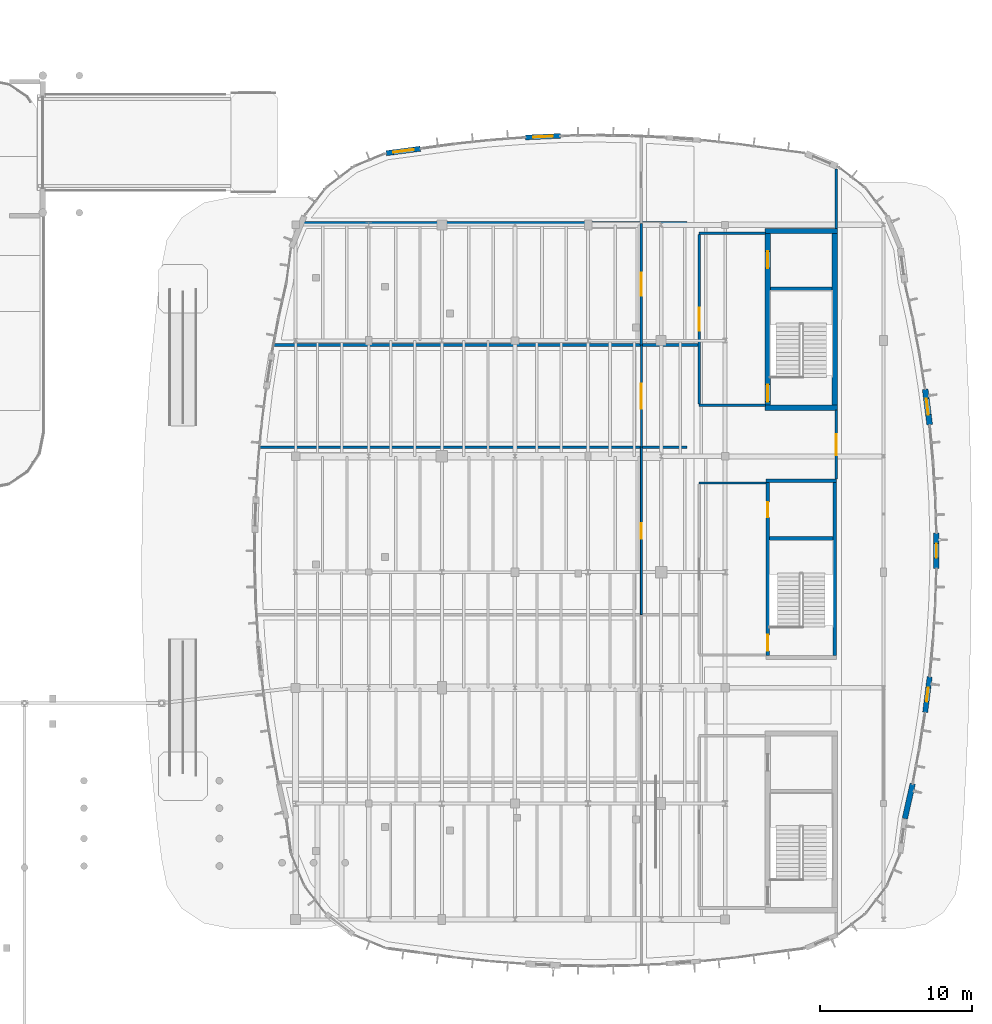
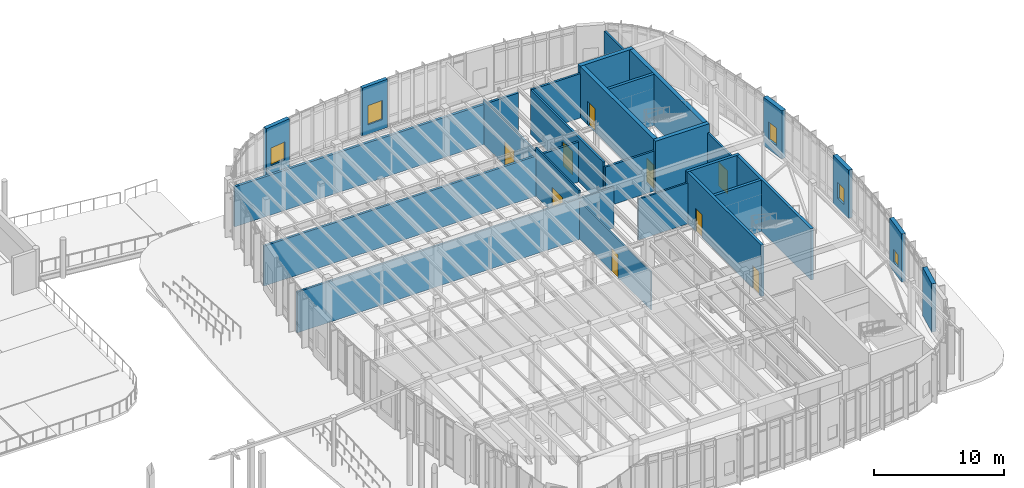
# One storey, part 94 of 120: 27 walls, 9 doors, 5 windows, 14 openings.
"""IFC4 building model written with IfcOpenShell, lengths in metres."""

import ifcopenshell
import ifcopenshell.guid

model = None  # the IFC model being written
_history = None  # IfcOwnerHistory: only IFC2X3 demands one
_inside = {}  # id of a spatial element -> (the spatial element, [elements in it])
_under = {}  # id of a project, library or spatial element -> (it, [spatial elements below it])
_declared = {}  # id of a project -> (the project, [libraries it declares])
_typed = {}  # id of a type object -> (the type object, [elements of that type])
_made_of = {}  # id of a material, layer set ... -> (it, [elements and type objects made of it])


def new_model(schema):
    """Start an empty IFC model of exactly this schema.

    Asked for "IFC4X3", IfcOpenShell would pick the latest addendum, in which some entities
    have other attributes; the version numbers below select the first issue.
    IFC2X3 requires an IfcOwnerHistory on every rooted entity: one is made here for all.
    """
    global model, _history
    if schema == "IFC4X3":
        model = ifcopenshell.file(schema_version=(4, 3, 0, 0))
    else:
        model = ifcopenshell.file(schema=schema)
    _inside.clear()
    _under.clear()
    _declared.clear()
    _typed.clear()
    _made_of.clear()
    _history = None
    if model.schema == "IFC2X3":
        org = make("IfcOrganization", Name="unknown")
        user = make(
            "IfcPersonAndOrganization",
            ThePerson=make("IfcPerson", FamilyName="unknown"),
            TheOrganization=org,
        )
        app = make(
            "IfcApplication",
            ApplicationDeveloper=org,
            Version="unknown",
            ApplicationFullName="unknown",
            ApplicationIdentifier="unknown",
        )
        _history = make(
            "IfcOwnerHistory",
            OwningUser=user,
            OwningApplication=app,
            ChangeAction="ADDED",
            CreationDate=0,
        )
    return model


def make(cls, **values):
    """One entity of the class cls with the attributes given. An attribute that is None is left unset."""
    return model.create_entity(
        cls, **{name: value for name, value in values.items() if value is not None}
    )


def rooted(cls, **values):
    """An entity with a GlobalId (a new one), such as an element, a storey or a relation."""
    return make(cls, GlobalId=ifcopenshell.guid.new(), OwnerHistory=_history, **values)


def si_unit(unit_type, name, prefix=None):
    """IfcSIUnit, for example si_unit("LENGTHUNIT", "METRE", prefix="MILLI")."""
    return make("IfcSIUnit", UnitType=unit_type, Prefix=prefix, Name=name)


def assignment(units):
    """IfcUnitAssignment: the units of a project."""
    return None if units is None else make("IfcUnitAssignment", Units=units)


def point(xyz):
    """IfcCartesianPoint."""
    return None if xyz is None else make("IfcCartesianPoint", Coordinates=xyz)


def direction(xyz):
    """IfcDirection."""
    return None if xyz is None else make("IfcDirection", DirectionRatios=xyz)


def frame(location, z_axis=None, x_axis=None):
    """IfcAxis2Placement3D, a coordinate frame: its origin and axes. An axis left out is left unset."""
    return make(
        "IfcAxis2Placement3D",
        Location=point(location),
        Axis=direction(z_axis),
        RefDirection=direction(x_axis),
    )


def frame_2d(location, x_axis=None):
    """IfcAxis2Placement2D, a coordinate frame in the plane: its origin and x axis."""
    return make(
        "IfcAxis2Placement2D", Location=point(location), RefDirection=direction(x_axis)
    )


def origin():
    """The frame at (0, 0, 0) with its axes left unset."""
    return frame((0.0, 0.0, 0.0))


def place(relative_to, where):
    """IfcLocalPlacement: puts the frame where relative to a parent placement (None: the world)."""
    return make(
        "IfcLocalPlacement", PlacementRelTo=relative_to, RelativePlacement=where
    )


def context(
    kind, dimensions, precision=None, world=None, true_north=None, identifier=None
):
    """IfcGeometricRepresentationContext, for example the 3D "Model" context."""
    return make(
        "IfcGeometricRepresentationContext",
        ContextIdentifier=identifier,
        ContextType=kind,
        CoordinateSpaceDimension=dimensions,
        Precision=precision,
        WorldCoordinateSystem=world,
        TrueNorth=true_north,
    )


def subcontext(parent, identifier, kind, view, scale=None):
    """IfcGeometricRepresentationSubContext, for example "Body" below "Model"."""
    return make(
        "IfcGeometricRepresentationSubContext",
        ContextIdentifier=identifier,
        ContextType=kind,
        ParentContext=parent,
        TargetScale=scale,
        TargetView=view,
    )


def project(units=None, contexts=None):
    """IfcProject with its units and contexts."""
    return rooted(
        "IfcProject",
        Name="project",
        RepresentationContexts=contexts,
        UnitsInContext=assignment(units),
    )


def spatial(cls, under=None, at=None, **own):
    """A site, building, storey or space (cls), placed at a placement, below another one or the project."""
    s = rooted(cls, ObjectPlacement=at, **own)
    if under is not None:
        _under.setdefault(under.id(), (under, []))[1].append(s)
    return s


def profile(cls, at=None, kind="AREA", **sizes):
    """A parametric profile (cls). Its sizes go by their IFC names, for example OverallWidth=200.0."""
    return make(cls, ProfileType=kind, Position=at, **sizes)


def rectangle(**sizes):
    """IfcRectangleProfileDef."""
    return profile("IfcRectangleProfileDef", **sizes)


def extrude(swept, where, along, depth):
    """IfcExtrudedAreaSolid: the profile swept, set in the frame where, extruded along a direction by depth."""
    return make(
        "IfcExtrudedAreaSolid",
        SweptArea=swept,
        Position=where,
        ExtrudedDirection=direction(along),
        Depth=depth,
    )


def shape(context_of_items, identifier, shape_type, items):
    """IfcShapeRepresentation: the items that make up one representation, for example the "Body"."""
    return make(
        "IfcShapeRepresentation",
        ContextOfItems=context_of_items,
        RepresentationIdentifier=identifier,
        RepresentationType=shape_type,
        Items=items,
    )


def material(Name=None, Category=None):
    """IfcMaterial."""
    return make("IfcMaterial", Name=Name, Category=Category)


def layer(
    of_material, thickness, ventilated=None, Name=None, Category=None, Priority=None
):
    """IfcMaterialLayer: one layer of a wall or slab, of a material (None: an air gap)."""
    return make(
        "IfcMaterialLayer",
        Material=of_material,
        LayerThickness=thickness,
        IsVentilated=ventilated,
        Name=Name,
        Category=Category,
        Priority=Priority,
    )


def layer_set(layers, Name=None):
    """IfcMaterialLayerSet."""
    return make("IfcMaterialLayerSet", MaterialLayers=layers, LayerSetName=Name)


def made_of(thing, what):
    """Note that an element or type object is made of a material, layer set ...; save() writes the relation."""
    if what is not None:
        _made_of.setdefault(what.id(), (what, []))[1].append(thing)
    return thing


def type_object(cls, material=None, **own):
    """A type object (cls), such as IfcWallType, which elements share."""
    return made_of(rooted(cls, **own), material)


def element(
    cls,
    number,
    at=None,
    inside=None,
    cuts=None,
    type_object=None,
    material=None,
    context=None,
    identifier="Body",
    shape_type=None,
    held_by="IfcProductDefinitionShape",
    body=None,
    shapes=None,
    **own,
):
    """One element of the class cls, such as IfcWall. Its Tag is "e" and its number.

    at: its placement. inside: the storey or other place that contains it. cuts: it is an
    opening in that element (IfcRelVoidsElement). A single representation is given by context,
    identifier, shape_type and body (its items); several are given by shapes. held_by: the class
    of the entity that holds the representations. save() writes the other relations.
    """
    e = rooted(cls, Tag="e%d" % number, ObjectPlacement=at, **own)
    if body is not None:
        shapes = [shape(context, identifier, shape_type, body)]
    if shapes is not None:
        e.Representation = make(held_by, Representations=shapes)
    if inside is not None:
        _inside.setdefault(inside.id(), (inside, []))[1].append(e)
    if cuts is not None:
        rooted(
            "IfcRelVoidsElement", RelatingBuildingElement=cuts, RelatedOpeningElement=e
        )
    if type_object is not None:
        _typed.setdefault(type_object.id(), (type_object, []))[1].append(e)
    return made_of(e, material)


def fill(opening, filler):
    """IfcRelFillsElement: the door or window that sits in an opening."""
    return rooted(
        "IfcRelFillsElement",
        RelatingOpeningElement=opening,
        RelatedBuildingElement=filler,
    )


def aggregate(whole, parts):
    """IfcRelAggregates: a whole, such as a stair, and the parts it consists of."""
    return rooted("IfcRelAggregates", RelatingObject=whole, RelatedObjects=parts)


def save(model, path):
    """Write the relations noted so far, then the file.

    IfcRelAggregates (storeys below a building ...), IfcRelContainedInSpatialStructure (elements
    in a storey), IfcRelDefinesByType, IfcRelAssociatesMaterial and IfcRelDeclares: one each for
    every whole, place, type object, material and project.
    """
    for whole, parts in _under.values():
        aggregate(whole, parts)
    for where, things in _inside.values():
        rooted(
            "IfcRelContainedInSpatialStructure",
            RelatedElements=things,
            RelatingStructure=where,
        )
    for kind, things in _typed.values():
        rooted("IfcRelDefinesByType", RelatedObjects=things, RelatingType=kind)
    for what, things in _made_of.values():
        rooted("IfcRelAssociatesMaterial", RelatedObjects=things, RelatingMaterial=what)
    for by, libraries in _declared.values():
        rooted("IfcRelDeclares", RelatingContext=by, RelatedDefinitions=libraries)
    model.write(path)


model = new_model("IFC4")

# Units and contexts
model_context = context("Model", 3, precision=1e-05, world=origin(), true_north=direction((0.0, 1.0)))
body_context = subcontext(model_context, "Body", "Model", "MODEL_VIEW")
ifc_project = project(units=[si_unit("LENGTHUNIT", "METRE"), si_unit("AREAUNIT", "SQUARE_METRE"), si_unit("VOLUMEUNIT", "CUBIC_METRE"), si_unit("PLANEANGLEUNIT", "RADIAN"), si_unit("MASSUNIT", "GRAM", prefix="KILO")], contexts=[model_context])

# Site, building, storey
site_placement = place(None, origin())
site = spatial("IfcSite", under=ifc_project, at=site_placement, CompositionType="ELEMENT")
building_placement = place(site_placement, origin())
building = spatial("IfcBuilding", under=site, at=building_placement, Name="Corveleigh Park Community Centre", CompositionType="ELEMENT")
storey_placement = place(building_placement, origin())
storey = spatial("IfcBuildingStorey", under=building, at=storey_placement, Name="L00", CompositionType="ELEMENT", Elevation=0.0)

# Wall, opening, window
ifc_material_1 = material(Name="Precast concrete C40/50", Category="concrete")
ifc_layer_1 = layer(ifc_material_1, 0.320068359375, Name="Precast concrete C40/50", Category="concrete")
ifc_layer_set_1 = layer_set([ifc_layer_1], Name="Precast concrete C40/50")
wall_type_1 = type_object("IfcWallType", Name="WL-EXT-320", PredefinedType="STANDARD", material=ifc_layer_set_1)
wall_1_placement = place(storey_placement, frame((144.89404296875, 109.93505859375, 0.0), z_axis=(0.0, 0.0, 1.0), x_axis=(0.998948885856, 0.045838013117, 0.0)))
wall_1 = element("IfcWall", 1, at=wall_1_placement, inside=storey, type_object=wall_type_1, Name="V4 L00 Precast Facade Wall", PredefinedType="STANDARD", context=body_context, shape_type="SweptSolid", body=[
    extrude(rectangle(XDim=2.290283203125, YDim=0.320068359375, at=frame_2d((1.14501953125, 0.0))), origin(), (0.0, 0.0, 1.0), 4.511962890625),
])
opening_1_placement = place(wall_1_placement, frame((0.4951171875, 0.0, 0.89990234375)))
opening_1 = element("IfcOpeningElement", 2, at=opening_1_placement, cuts=wall_1, Name="Opening W07", PredefinedType="OPENING", context=body_context, shape_type="SweptSolid", body=[
    extrude(rectangle(XDim=1.300048828125, YDim=1.800048828125, at=frame_2d((0.64990234375, 0.89990234375))), frame((0.0, 0.169921875, 0.0), z_axis=(0.0, -1.0, 0.0), x_axis=(1.0, 0.0, 0.0)), (0.0, 0.0, 1.0), 0.340087890625),
])
ifc_material_2 = material(Name="Low-E double glazing", Category="glass")
window_type_1 = type_object("IfcWindowType", Name="WIN-EXT-1300x1800", PartitioningType="SINGLE_PANEL", PredefinedType="WINDOW", material=ifc_material_2)
window_1_placement = place(opening_1_placement, origin())
window_1 = element("IfcWindow", 3, at=window_1_placement, inside=storey, type_object=window_type_1, Name="V4 L00 Window 31", OverallHeight=1.800048828125, OverallWidth=1.300048828125, PartitioningType="SINGLE_PANEL", PredefinedType="WINDOW", context=body_context, shape_type="SweptSolid", body=[
    extrude(rectangle(XDim=1.300048828125, YDim=1.800048828125, at=frame_2d((0.64990234375, 0.89990234375))), frame((0.0, 0.030029296875, 0.0), z_axis=(0.0, -1.0, 0.0), x_axis=(1.0, 0.0, 0.0)), (0.0, 0.0, 1.0), 0.06005859375),
])
fill(opening_1, window_1)

ifc_layer_2 = layer(ifc_material_1, 0.340087890625, Name="Precast concrete C40/50", Category="concrete")
ifc_layer_set_2 = layer_set([ifc_layer_2], Name="Precast concrete C40/50")
wall_type_2 = type_object("IfcWallType", Name="WL-EXT-340", PredefinedType="STANDARD", material=ifc_layer_set_2)
wall_2_placement = place(storey_placement, frame((171.429931640625, 74.51806640625, 0.0), z_axis=(0.0, 0.0, 1.0), x_axis=(-0.125875194248, -0.992046085357, 0.0)))
wall_2 = element("IfcWall", 4, at=wall_2_placement, inside=storey, type_object=wall_type_2, Name="V4 L00 Precast Facade Wall", PredefinedType="STANDARD", context=body_context, shape_type="SweptSolid", body=[
    extrude(rectangle(XDim=2.350830078125, YDim=0.340087890625, at=frame_2d((1.17529296875, 0.0))), origin(), (0.0, 0.0, 1.0), 4.511962890625),
])
opening_2_placement = place(wall_2_placement, frame((0.72607421875, 0.0, 0.89990234375)))
opening_2 = element("IfcOpeningElement", 5, at=opening_2_placement, cuts=wall_2, Name="Opening W01", PredefinedType="OPENING", context=body_context, shape_type="SweptSolid", body=[
    extrude(rectangle(XDim=0.89990234375, YDim=1.199951171875, at=frame_2d((0.449951171875, 0.60009765625))), frame((0.0, 0.179931640625, 0.0), z_axis=(0.0, -1.0, 0.0), x_axis=(1.0, 0.0, 0.0)), (0.0, 0.0, 1.0), 0.360107421875),
])
window_type_2 = type_object("IfcWindowType", Name="WIN-EXT-0900x1200", PartitioningType="SINGLE_PANEL", PredefinedType="WINDOW", material=ifc_material_2)
window_2_placement = place(opening_2_placement, origin())
window_2 = element("IfcWindow", 6, at=window_2_placement, inside=storey, type_object=window_type_2, Name="V4 L00 Window 25", OverallHeight=1.199951171875, OverallWidth=0.89990234375, PartitioningType="SINGLE_PANEL", PredefinedType="WINDOW", context=body_context, shape_type="SweptSolid", body=[
    extrude(rectangle(XDim=0.89990234375, YDim=1.199951171875, at=frame_2d((0.449951171875, 0.60009765625))), frame((0.0, 0.030029296875, 0.0), z_axis=(0.0, -1.0, 0.0), x_axis=(1.0, 0.0, 0.0)), (0.0, 0.0, 1.0), 0.06005859375),
])
fill(opening_2, window_2)

wall_3_placement = place(storey_placement, frame((135.75390625, 108.904052734375, 0.0), z_axis=(0.0, 0.0, 1.0), x_axis=(0.991436256212, 0.130591538273, 0.0)))
wall_3 = element("IfcWall", 7, at=wall_3_placement, inside=storey, type_object=wall_type_2, Name="V4 L00 Precast Facade Wall", PredefinedType="STANDARD", context=body_context, shape_type="SweptSolid", body=[
    extrude(rectangle(XDim=2.25830078125, YDim=0.340087890625, at=frame_2d((1.129150390625, 0.0))), origin(), (0.0, 0.0, 1.0), 4.537109375),
])
opening_3_placement = place(wall_3_placement, frame((0.4541015625, 0.0, 0.89990234375)))
opening_3 = element("IfcOpeningElement", 8, at=opening_3_placement, cuts=wall_3, Name="Opening W08", PredefinedType="OPENING", context=body_context, shape_type="SweptSolid", body=[
    extrude(rectangle(XDim=1.35009765625, YDim=1.64990234375, at=frame_2d((0.675048828125, 0.824951171875))), frame((0.0, 0.179931640625, 0.0), z_axis=(0.0, -1.0, 0.0), x_axis=(1.0, 0.0, 0.0)), (0.0, 0.0, 1.0), 0.360107421875),
])
window_type_3 = type_object("IfcWindowType", Name="WIN-EXT-1350x1650", PartitioningType="SINGLE_PANEL", PredefinedType="WINDOW", material=ifc_material_2)
window_3_placement = place(opening_3_placement, origin())
window_3 = element("IfcWindow", 9, at=window_3_placement, inside=storey, type_object=window_type_3, Name="V4 L00 Window 32", OverallHeight=1.64990234375, OverallWidth=1.35009765625, PartitioningType="SINGLE_PANEL", PredefinedType="WINDOW", context=body_context, shape_type="SweptSolid", body=[
    extrude(rectangle(XDim=1.35009765625, YDim=1.64990234375, at=frame_2d((0.675048828125, 0.824951171875))), frame((0.0, 0.030029296875, 0.0), z_axis=(0.0, -1.0, 0.0), x_axis=(1.0, 0.0, 0.0)), (0.0, 0.0, 1.0), 0.06005859375),
])
fill(opening_3, window_3)

# Wall
ifc_layer_3 = layer(ifc_material_1, 0.360107421875, Name="Precast concrete C40/50", Category="concrete")
ifc_layer_set_3 = layer_set([ifc_layer_3], Name="Precast concrete C40/50")
wall_type_3 = type_object("IfcWallType", Name="WL-EXT-360", PredefinedType="STANDARD", material=ifc_layer_set_3)
wall_4_placement = place(storey_placement, frame((170.31591796875, 67.501953125, 0.0), z_axis=(0.0, 0.0, 1.0), x_axis=(-0.218860234328, -0.975756218443, 0.0)))
element("IfcWall", 10, at=wall_4_placement, inside=storey, type_object=wall_type_3, Name="V4 L00 Precast Facade Wall", PredefinedType="STANDARD", context=body_context, shape_type="SweptSolid", body=[
    extrude(rectangle(XDim=2.34375, YDim=0.360107421875, at=frame_2d((1.171875, 0.0))), origin(), (0.0, 0.0, 1.0), 4.527099609375),
])

# Wall, opening, window
wall_5_placement = place(storey_placement, frame((171.8779296875, 83.97509765625, 0.0), z_axis=(0.0, 0.0, 1.0), x_axis=(0.0, -1.0, 0.0)))
wall_5 = element("IfcWall", 11, at=wall_5_placement, inside=storey, type_object=wall_type_3, Name="V4 L00 Precast Facade Wall", PredefinedType="STANDARD", context=body_context, shape_type="SweptSolid", body=[
    extrude(rectangle(XDim=2.35009765625, YDim=0.360107421875, at=frame_2d((1.175048828125, 0.0))), origin(), (0.0, 0.0, 1.0), 4.511962890625),
])
opening_4_placement = place(wall_5_placement, frame((0.699951171875, 0.0, 0.89990234375)))
opening_4 = element("IfcOpeningElement", 12, at=opening_4_placement, cuts=wall_5, Name="Opening W02", PredefinedType="OPENING", context=body_context, shape_type="SweptSolid", body=[
    extrude(rectangle(XDim=0.949951171875, YDim=1.5, at=frame_2d((0.47509765625, 0.75))), frame((0.0, 0.18994140625, 0.0), z_axis=(0.0, -1.0, 0.0), x_axis=(1.0, 0.0, 0.0)), (0.0, 0.0, 1.0), 0.380126953125),
])
window_type_4 = type_object("IfcWindowType", Name="WIN-EXT-0950x1500", PartitioningType="SINGLE_PANEL", PredefinedType="WINDOW", material=ifc_material_2)
window_4_placement = place(opening_4_placement, origin())
window_4 = element("IfcWindow", 13, at=window_4_placement, inside=storey, type_object=window_type_4, Name="V4 L00 Window 26", OverallHeight=1.5, OverallWidth=0.949951171875, PartitioningType="SINGLE_PANEL", PredefinedType="WINDOW", context=body_context, shape_type="SweptSolid", body=[
    extrude(rectangle(XDim=0.949951171875, YDim=1.5, at=frame_2d((0.47509765625, 0.75))), frame((0.0, 0.030029296875, 0.0), z_axis=(0.0, -1.0, 0.0), x_axis=(1.0, 0.0, 0.0)), (0.0, 0.0, 1.0), 0.06005859375),
])
fill(opening_4, window_4)

ifc_layer_4 = layer(ifc_material_1, 0.3798828125, Name="Precast concrete C40/50", Category="concrete")
ifc_layer_set_4 = layer_set([ifc_layer_4], Name="Precast concrete C40/50")
wall_type_4 = type_object("IfcWallType", Name="WL-EXT-380", PredefinedType="STANDARD", material=ifc_layer_set_4)
wall_6_placement = place(storey_placement, frame((171.134033203125, 93.4140625, 0.0), z_axis=(0.0, 0.0, 1.0), x_axis=(0.125875194248, -0.992046085357, 0.0)))
wall_6 = element("IfcWall", 14, at=wall_6_placement, inside=storey, type_object=wall_type_4, Name="V4 L00 Precast Facade Wall", PredefinedType="STANDARD", context=body_context, shape_type="SweptSolid", body=[
    extrude(rectangle(XDim=2.350830078125, YDim=0.3798828125, at=frame_2d((1.17529296875, 0.0))), origin(), (0.0, 0.0, 1.0), 4.511962890625),
])
opening_5_placement = place(wall_6_placement, frame((0.64990234375, 0.0, 0.89990234375)))
opening_5 = element("IfcOpeningElement", 15, at=opening_5_placement, cuts=wall_6, Name="Opening W03", PredefinedType="OPENING", context=body_context, shape_type="SweptSolid", body=[
    extrude(rectangle(XDim=1.050048828125, YDim=1.64990234375, at=frame_2d((0.52490234375, 0.824951171875))), frame((0.0, 0.199951171875, 0.0), z_axis=(0.0, -1.0, 0.0), x_axis=(1.0, 0.0, 0.0)), (0.0, 0.0, 1.0), 0.39990234375),
])
window_type_5 = type_object("IfcWindowType", Name="WIN-EXT-1050x1650", PartitioningType="SINGLE_PANEL", PredefinedType="WINDOW", material=ifc_material_2)
window_5_placement = place(opening_5_placement, origin())
window_5 = element("IfcWindow", 16, at=window_5_placement, inside=storey, type_object=window_type_5, Name="V4 L00 Window 27", OverallHeight=1.64990234375, OverallWidth=1.050048828125, PartitioningType="SINGLE_PANEL", PredefinedType="WINDOW", context=body_context, shape_type="SweptSolid", body=[
    extrude(rectangle(XDim=1.050048828125, YDim=1.64990234375, at=frame_2d((0.52490234375, 0.824951171875))), frame((0.0, 0.030029296875, 0.0), z_axis=(0.0, -1.0, 0.0), x_axis=(1.0, 0.0, 0.0)), (0.0, 0.0, 1.0), 0.06005859375),
])
fill(opening_5, window_5)

# Wall, opening, door
ifc_material_3 = material(Name="Gypsum acoustic stud partition", Category="gypsum")
ifc_layer_5 = layer(ifc_material_3, 0.125, Name="Gypsum acoustic stud partition", Category="gypsum")
ifc_layer_set_5 = layer_set([ifc_layer_5], Name="Gypsum acoustic stud partition")
wall_type_5 = type_object("IfcWallType", Name="WL-PRT-125", PredefinedType="PARTITIONING", material=ifc_layer_set_5)
wall_7_placement = place(storey_placement, frame((152.5, 89.60009765625, 0.0), z_axis=(0.0, 0.0, 1.0), x_axis=(0.0, -1.0, 0.0)))
wall_7 = element("IfcWall", 17, at=wall_7_placement, inside=storey, type_object=wall_type_5, Name="Early Years Preschool Playroom corridor wall", PredefinedType="PARTITIONING", context=body_context, shape_type="SweptSolid", body=[
    extrude(rectangle(XDim=11.0, YDim=0.125, at=frame_2d((5.5, 0.0))), origin(), (0.0, 0.0, 1.0), 3.56494140625),
])
opening_6_placement = place(wall_7_placement, frame((4.989990234375, 0.0, 0.0)))
opening_6 = element("IfcOpeningElement", 18, at=opening_6_placement, cuts=wall_7, Name="Opening FD05", PredefinedType="OPENING", context=body_context, shape_type="SweptSolid", body=[
    extrude(rectangle(XDim=1.02001953125, YDim=2.139892578125, at=frame_2d((0.510009765625, 1.06982421875))), frame((0.0, 0.072509765625, 0.0), z_axis=(0.0, -1.0, 0.0), x_axis=(1.0, 0.0, 0.0)), (0.0, 0.0, 1.0), 0.14501953125),
])
ifc_material_4 = material(Name="Hardwood acoustic door leaf", Category="wood")
door_type_1 = type_object("IfcDoorType", Name="DR-FIR-1020x2140", OperationType="NOTDEFINED", PredefinedType="DOOR", material=ifc_material_4)
door_1_placement = place(opening_6_placement, origin())
door_1 = element("IfcDoor", 19, at=door_1_placement, inside=storey, type_object=door_type_1, Name="Early Years Preschool Playroom door", OperationType="SINGLE_SWING_RIGHT", OverallHeight=2.139892578125, OverallWidth=1.02001953125, PredefinedType="DOOR", context=body_context, shape_type="SweptSolid", body=[
    extrude(rectangle(XDim=1.02001953125, YDim=2.139892578125, at=frame_2d((0.510009765625, 1.06982421875))), frame((0.0, 0.02490234375, 0.0), z_axis=(0.0, -1.0, 0.0), x_axis=(1.0, 0.0, 0.0)), (0.0, 0.0, 1.0), 0.050048828125),
])
fill(opening_6, door_1)

ifc_layer_6 = layer(ifc_material_3, 0.139892578125, Name="Gypsum acoustic stud partition", Category="gypsum")
ifc_layer_set_6 = layer_set([ifc_layer_6], Name="Gypsum acoustic stud partition")
wall_type_6 = type_object("IfcWallType", Name="WL-PRT-140", PredefinedType="PARTITIONING", material=ifc_layer_set_6)
wall_8_placement = place(storey_placement, frame((152.5, 96.300048828125, 0.0), z_axis=(0.0, 0.0, 1.0), x_axis=(0.0, -1.0, 0.0)))
wall_8 = element("IfcWall", 20, at=wall_8_placement, inside=storey, type_object=wall_type_6, Name="Fire Command Centre corridor wall", PredefinedType="PARTITIONING", context=body_context, shape_type="SweptSolid", body=[
    extrude(rectangle(XDim=6.699951171875, YDim=0.139892578125, at=frame_2d((3.35009765625, 0.0))), origin(), (0.0, 0.0, 1.0), 4.527099609375),
])
opening_7_placement = place(wall_8_placement, frame((2.5400390625, 0.0, 0.0)))
opening_7 = element("IfcOpeningElement", 21, at=opening_7_placement, cuts=wall_8, Name="Opening FD07", PredefinedType="OPENING", context=body_context, shape_type="SweptSolid", body=[
    extrude(rectangle(XDim=1.6201171875, YDim=2.320068359375, at=frame_2d((0.81005859375, 1.16015625))), frame((0.0, 0.079833984375, 0.0), z_axis=(0.0, -1.0, 0.0), x_axis=(1.0, 0.0, 0.0)), (0.0, 0.0, 1.0), 0.159912109375),
])
door_type_2 = type_object("IfcDoorType", Name="DR-FIR-1620x2320", OperationType="DOUBLE_DOOR_SINGLE_SWING", PredefinedType="DOOR", material=ifc_material_4)
door_2_placement = place(opening_7_placement, origin())
door_2 = element("IfcDoor", 22, at=door_2_placement, inside=storey, type_object=door_type_2, Name="Fire Command Centre door", OperationType="DOUBLE_DOOR_SINGLE_SWING", OverallHeight=2.320068359375, OverallWidth=1.6201171875, PredefinedType="DOOR", context=body_context, shape_type="SweptSolid", body=[
    extrude(rectangle(XDim=1.6201171875, YDim=2.320068359375, at=frame_2d((0.81005859375, 1.16015625))), frame((0.0, 0.02490234375, 0.0), z_axis=(0.0, -1.0, 0.0), x_axis=(1.0, 0.0, 0.0)), (0.0, 0.0, 1.0), 0.050048828125),
])
fill(opening_7, door_2)

# Wall
ifc_layer_7 = layer(ifc_material_3, 0.14990234375, Name="Gypsum acoustic stud partition", Category="gypsum")
ifc_layer_set_7 = layer_set([ifc_layer_7], Name="Gypsum acoustic stud partition")
wall_type_7 = type_object("IfcWallType", Name="WL-PRT-150", PredefinedType="PARTITIONING", material=ifc_layer_set_7)
wall_9_placement = place(storey_placement, frame((160.68994140625, 87.25, 0.0), z_axis=(0.0, 0.0, 1.0), x_axis=(-1.0, 0.0, 0.0)))
element("IfcWall", 23, at=wall_9_placement, inside=storey, type_object=wall_type_7, Name="CORE6 lobby north wall", PredefinedType="PARTITIONING", context=body_context, shape_type="SweptSolid", body=[
    extrude(rectangle(XDim=4.389892578125, YDim=0.14990234375, at=frame_2d((2.19482421875, 0.0))), origin(), (0.0, 0.0, 1.0), 3.827880859375),
])

# Wall, opening, door
wall_10_placement = place(storey_placement, frame((152.5, 104.300048828125, 0.0), z_axis=(0.0, 0.0, 1.0), x_axis=(0.0, -1.0, 0.0)))
wall_10 = element("IfcWall", 24, at=wall_10_placement, inside=storey, type_object=wall_type_7, Name="Centre Management Reception corridor wall", PredefinedType="PARTITIONING", context=body_context, shape_type="SweptSolid", body=[
    extrude(rectangle(XDim=8.0, YDim=0.14990234375, at=frame_2d((4.0, 0.0))), origin(), (0.0, 0.0, 1.0), 4.156982421875),
])
opening_8_placement = place(wall_10_placement, frame((3.260009765625, 0.0, 0.0)))
opening_8 = element("IfcOpeningElement", 25, at=opening_8_placement, cuts=wall_10, Name="Opening FD01", PredefinedType="OPENING", context=body_context, shape_type="SweptSolid", body=[
    extrude(rectangle(XDim=1.47998046875, YDim=2.219970703125, at=frame_2d((0.739990234375, 1.10986328125))), frame((0.0, 0.0849609375, 0.0), z_axis=(0.0, -1.0, 0.0), x_axis=(1.0, 0.0, 0.0)), (0.0, 0.0, 1.0), 0.169921875),
])
door_type_3 = type_object("IfcDoorType", Name="DR-FIR-1480x2220", OperationType="DOUBLE_DOOR_SINGLE_SWING", PredefinedType="DOOR", material=ifc_material_4)
door_3_placement = place(opening_8_placement, origin())
door_3 = element("IfcDoor", 26, at=door_3_placement, inside=storey, type_object=door_type_3, Name="Centre Management Reception door", OperationType="DOUBLE_DOOR_SINGLE_SWING", OverallHeight=2.219970703125, OverallWidth=1.47998046875, PredefinedType="DOOR", context=body_context, shape_type="SweptSolid", body=[
    extrude(rectangle(XDim=1.47998046875, YDim=2.219970703125, at=frame_2d((0.739990234375, 1.10986328125))), frame((0.0, 0.02490234375, 0.0), z_axis=(0.0, -1.0, 0.0), x_axis=(1.0, 0.0, 0.0)), (0.0, 0.0, 1.0), 0.050048828125),
])
fill(opening_8, door_3)

# Walls
ifc_layer_8 = layer(ifc_material_3, 0.179931640625, Name="Gypsum acoustic stud partition", Category="gypsum")
ifc_layer_set_8 = layer_set([ifc_layer_8], Name="Gypsum acoustic stud partition")
wall_type_8 = type_object("IfcWallType", Name="WL-PRT-180", PredefinedType="PARTITIONING", material=ifc_layer_set_8)
wall_11_placement = place(storey_placement, frame((156.300048828125, 92.35009765625, 0.0), z_axis=(0.0, 0.0, 1.0), x_axis=(1.0, 0.0, 0.0)))
element("IfcWall", 27, at=wall_11_placement, inside=storey, type_object=wall_type_8, Name="CORE2 lobby south wall", PredefinedType="PARTITIONING", context=body_context, shape_type="SweptSolid", body=[
    extrude(rectangle(XDim=4.33984375, YDim=0.179931640625, at=frame_2d((2.169921875, 0.0))), origin(), (0.0, 0.0, 1.0), 3.7529296875),
])
wall_12_placement = place(storey_placement, frame((160.639892578125, 103.64990234375, 0.0), z_axis=(0.0, 0.0, 1.0), x_axis=(-1.0, 0.0, 0.0)))
element("IfcWall", 28, at=wall_12_placement, inside=storey, type_object=wall_type_8, Name="CORE2 lobby north wall", PredefinedType="PARTITIONING", context=body_context, shape_type="SweptSolid", body=[
    extrude(rectangle(XDim=4.33984375, YDim=0.179931640625, at=frame_2d((2.169921875, 0.0))), origin(), (0.0, 0.0, 1.0), 4.156982421875),
])

# Wall, opening, door
wall_13_placement = place(storey_placement, frame((156.300048828125, 103.570068359375, 0.0), z_axis=(0.0, 0.0, 1.0), x_axis=(0.0, -1.0, 0.0)))
wall_13 = element("IfcWall", 29, at=wall_13_placement, inside=storey, type_object=wall_type_8, Name="CORE2 lobby corridor wall", PredefinedType="PARTITIONING", context=body_context, shape_type="SweptSolid", body=[
    extrude(rectangle(XDim=11.14013671875, YDim=0.179931640625, at=frame_2d((5.570068359375, 0.0))), origin(), (0.0, 0.0, 1.0), 4.152099609375),
])
opening_9_placement = place(wall_13_placement, frame((4.830078125, 0.0, 0.0)))
opening_9 = element("IfcOpeningElement", 30, at=opening_9_placement, cuts=wall_13, Name="Opening FD01", PredefinedType="OPENING", context=body_context, shape_type="SweptSolid", body=[
    extrude(rectangle(XDim=1.47998046875, YDim=2.219970703125, at=frame_2d((0.739990234375, 1.10986328125))), frame((0.0, 0.099853515625, 0.0), z_axis=(0.0, -1.0, 0.0), x_axis=(1.0, 0.0, 0.0)), (0.0, 0.0, 1.0), 0.199951171875),
])
door_4_placement = place(opening_9_placement, origin())
door_4 = element("IfcDoor", 31, at=door_4_placement, inside=storey, type_object=door_type_3, Name="Lobby CORE2 corridor door L00", OperationType="DOUBLE_DOOR_SINGLE_SWING", OverallHeight=2.219970703125, OverallWidth=1.47998046875, PredefinedType="DOOR", context=body_context, shape_type="SweptSolid", body=[
    extrude(rectangle(XDim=1.47998046875, YDim=2.219970703125, at=frame_2d((0.739990234375, 1.10986328125))), frame((0.0, 0.02490234375, 0.0), z_axis=(0.0, -1.0, 0.0), x_axis=(1.0, 0.0, 0.0)), (0.0, 0.0, 1.0), 0.050048828125),
])
fill(opening_9, door_4)

wall_14_placement = place(storey_placement, frame((165.300048828125, 87.512939453125, 0.0), z_axis=(0.0, 0.0, 1.0), x_axis=(0.0, 1.0, 0.0)))
wall_14 = element("IfcWall", 32, at=wall_14_placement, inside=storey, type_object=wall_type_8, Name="Parkside Civic Exhibition Gallery corridor wall", PredefinedType="PARTITIONING", context=body_context, shape_type="SweptSolid", body=[
    extrude(rectangle(XDim=4.524169921875, YDim=0.179931640625, at=frame_2d((2.26220703125, 0.0))), origin(), (0.0, 0.0, 1.0), 3.989990234375),
])
opening_10_placement = place(wall_14_placement, frame((1.572021484375, 0.0, 0.0)))
opening_10 = element("IfcOpeningElement", 33, at=opening_10_placement, cuts=wall_14, Name="Opening FD02", PredefinedType="OPENING", context=body_context, shape_type="SweptSolid", body=[
    extrude(rectangle(XDim=1.3798828125, YDim=2.199951171875, at=frame_2d((0.68994140625, 1.10009765625))), frame((0.0, 0.099853515625, 0.0), z_axis=(0.0, -1.0, 0.0), x_axis=(1.0, 0.0, 0.0)), (0.0, 0.0, 1.0), 0.199951171875),
])
door_type_4 = type_object("IfcDoorType", Name="DR-FIR-1380x2200", OperationType="DOUBLE_DOOR_SINGLE_SWING", PredefinedType="DOOR", material=ifc_material_4)
door_5_placement = place(opening_10_placement, origin())
door_5 = element("IfcDoor", 34, at=door_5_placement, inside=storey, type_object=door_type_4, Name="Parkside Civic Exhibition Gallery door", OperationType="DOUBLE_DOOR_SINGLE_SWING", OverallHeight=2.199951171875, OverallWidth=1.3798828125, PredefinedType="DOOR", context=body_context, shape_type="SweptSolid", body=[
    extrude(rectangle(XDim=1.3798828125, YDim=2.199951171875, at=frame_2d((0.68994140625, 1.10009765625))), frame((0.0, 0.02490234375, 0.0), z_axis=(0.0, -1.0, 0.0), x_axis=(1.0, 0.0, 0.0)), (0.0, 0.0, 1.0), 0.050048828125),
])
fill(opening_10, door_5)

# Walls
wall_15_placement = place(storey_placement, frame((165.300048828125, 103.962890625, 0.0), z_axis=(0.0, 0.0, 1.0), x_axis=(0.0, 1.0, 0.0)))
element("IfcWall", 35, at=wall_15_placement, inside=storey, type_object=wall_type_8, Name="Parkside Civic Exhibition Gallery corridor wall", PredefinedType="PARTITIONING", context=body_context, shape_type="SweptSolid", body=[
    extrude(rectangle(XDim=3.89599609375, YDim=0.179931640625, at=frame_2d((1.947998046875, 0.0))), origin(), (0.0, 0.0, 1.0), 3.9150390625),
])
wall_16_placement = place(storey_placement, frame((127.429931640625, 89.60009765625, 0.0), z_axis=(0.0, 0.0, 1.0), x_axis=(1.0, 0.0, 0.0)))
element("IfcWall", 36, at=wall_16_placement, inside=storey, type_object=wall_type_8, Name="Early Years Preschool Playroom partition", PredefinedType="PARTITIONING", context=body_context, shape_type="SweptSolid", body=[
    extrude(rectangle(XDim=28.070068359375, YDim=0.179931640625, at=frame_2d((14.03515625, 0.0))), origin(), (0.0, 0.0, 1.0), 3.827880859375),
])
ifc_material_5 = material(Name="Masonry blockwork 7.3 MPa", Category="masonry")
ifc_layer_9 = layer(ifc_material_5, 0.195068359375, Name="Masonry blockwork 7.3 MPa", Category="masonry")
ifc_layer_set_9 = layer_set([ifc_layer_9], Name="Masonry blockwork 7.3 MPa")
wall_type_9 = type_object("IfcWallType", Name="WL-PRT-195", PredefinedType="PARTITIONING", material=ifc_layer_set_9)
wall_17_placement = place(storey_placement, frame((128.341064453125, 96.300048828125, 0.0), z_axis=(0.0, 0.0, 1.0), x_axis=(1.0, 0.0, 0.0)))
element("IfcWall", 37, at=wall_17_placement, inside=storey, type_object=wall_type_9, Name="Fire Command Centre partition", PredefinedType="PARTITIONING", context=body_context, shape_type="SweptSolid", body=[
    extrude(rectangle(XDim=27.880859375, YDim=0.195068359375, at=frame_2d((13.9404296875, 0.0))), origin(), (0.0, 0.0, 1.0), 3.7529296875),
])
ifc_layer_10 = layer(ifc_material_5, 0.215087890625, Name="Masonry blockwork 7.3 MPa", Category="masonry")
ifc_layer_set_10 = layer_set([ifc_layer_10], Name="Masonry blockwork 7.3 MPa")
wall_type_10 = type_object("IfcWallType", Name="WL-PRT-215", PredefinedType="PARTITIONING", material=ifc_layer_set_10)
wall_18_placement = place(storey_placement, frame((130.35400390625, 104.300048828125, 0.0), z_axis=(0.0, 0.0, 1.0), x_axis=(1.0, 0.0, 0.0)))
element("IfcWall", 38, at=wall_18_placement, inside=storey, type_object=wall_type_10, Name="Centre Management Reception partition", PredefinedType="PARTITIONING", context=body_context, shape_type="SweptSolid", body=[
    extrude(rectangle(XDim=25.14599609375, YDim=0.215087890625, at=frame_2d((12.572998046875, 0.0))), origin(), (0.0, 0.0, 1.0), 3.7529296875),
])
ifc_material_6 = material(Name="Concrete C40/50", Category="concrete")
ifc_layer_11 = layer(ifc_material_6, 0.25, Name="Concrete C40/50", Category="concrete")
ifc_layer_set_11 = layer_set([ifc_layer_11], Name="Concrete C40/50")
wall_type_11 = type_object("IfcWallType", Name="WL-SHR-250", PredefinedType="SHEAR", material=ifc_layer_set_11)
wall_19_placement = place(storey_placement, frame((160.97509765625, 100.0, 0.0), z_axis=(0.0, 0.0, 1.0), x_axis=(1.0, 0.0, 0.0)))
element("IfcWall", 39, at=wall_19_placement, inside=storey, type_object=wall_type_11, Name="CORE2 shaft wall", PredefinedType="SHEAR", context=body_context, shape_type="SweptSolid", body=[
    extrude(rectangle(XDim=4.0498046875, YDim=0.25, at=frame_2d((2.02490234375, 0.0))), origin(), (0.0, 0.0, 1.0), 4.800048828125),
])
wall_20_placement = place(storey_placement, frame((165.199951171875, 75.925048828125, 0.0), z_axis=(0.0, 0.0, 1.0), x_axis=(0.0, 1.0, 0.0)))
element("IfcWall", 40, at=wall_20_placement, inside=storey, type_object=wall_type_11, Name="CORE6 east shear wall", PredefinedType="SHEAR", context=body_context, shape_type="SweptSolid", body=[
    extrude(rectangle(XDim=11.349853515625, YDim=0.25, at=frame_2d((5.6748046875, 0.0))), origin(), (0.0, 0.0, 1.0), 4.800048828125),
])
wall_21_placement = place(storey_placement, frame((165.324951171875, 87.39990234375, 0.0), z_axis=(0.0, 0.0, 1.0), x_axis=(-1.0, 0.0, 0.0)))
element("IfcWall", 41, at=wall_21_placement, inside=storey, type_object=wall_type_11, Name="CORE6 north shear wall", PredefinedType="SHEAR", context=body_context, shape_type="SweptSolid", body=[
    extrude(rectangle(XDim=4.64990234375, YDim=0.25, at=frame_2d((2.324951171875, 0.0))), origin(), (0.0, 0.0, 1.0), 4.800048828125),
])

# Wall, openings, doors
wall_22_placement = place(storey_placement, frame((160.800048828125, 87.27490234375, 0.0), z_axis=(0.0, 0.0, 1.0), x_axis=(0.0, -1.0, 0.0)))
wall_22 = element("IfcWall", 42, at=wall_22_placement, inside=storey, type_object=wall_type_11, Name="CORE6 west lobby wall", PredefinedType="SHEAR", context=body_context, shape_type="SweptSolid", body=[
    extrude(rectangle(XDim=11.349853515625, YDim=0.25, at=frame_2d((5.6748046875, 0.0))), origin(), (0.0, 0.0, 1.0), 4.800048828125),
])
opening_11_placement = place(wall_22_placement, frame((1.27490234375, 0.0, 0.0)))
opening_11 = element("IfcOpeningElement", 43, at=opening_11_placement, cuts=wall_22, Name="Opening LD02", PredefinedType="OPENING", context=body_context, shape_type="SweptSolid", body=[
    extrude(rectangle(XDim=1.0, YDim=2.14990234375, at=frame_2d((0.5, 1.074951171875))), frame((0.0, 0.135009765625, 0.0), z_axis=(0.0, -1.0, 0.0), x_axis=(1.0, 0.0, 0.0)), (0.0, 0.0, 1.0), 0.27001953125),
])
opening_12_placement = place(wall_22_placement, frame((9.9951171875, 0.0, 0.0)))
opening_12 = element("IfcOpeningElement", 44, at=opening_12_placement, cuts=wall_22, Name="Opening FD04", PredefinedType="OPENING", context=body_context, shape_type="SweptSolid", body=[
    extrude(rectangle(XDim=1.06005859375, YDim=2.14990234375, at=frame_2d((0.530029296875, 1.074951171875))), frame((0.0, 0.135009765625, 0.0), z_axis=(0.0, -1.0, 0.0), x_axis=(1.0, 0.0, 0.0)), (0.0, 0.0, 1.0), 0.27001953125),
])
door_type_5 = type_object("IfcDoorType", Name="DR-FIR-1060x2150", OperationType="NOTDEFINED", PredefinedType="DOOR", material=ifc_material_4)
door_6_placement = place(opening_12_placement, origin())
door_6 = element("IfcDoor", 45, at=door_6_placement, inside=storey, type_object=door_type_5, Name="Stair ST6 fire door L00", OperationType="SINGLE_SWING_RIGHT", OverallHeight=2.14990234375, OverallWidth=1.06005859375, PredefinedType="DOOR", context=body_context, shape_type="SweptSolid", body=[
    extrude(rectangle(XDim=1.06005859375, YDim=2.14990234375, at=frame_2d((0.530029296875, 1.074951171875))), frame((0.0, 0.02490234375, 0.0), z_axis=(0.0, -1.0, 0.0), x_axis=(1.0, 0.0, 0.0)), (0.0, 0.0, 1.0), 0.050048828125),
])
fill(opening_12, door_6)
ifc_material_7 = material(Name="Brushed stainless steel lift car", Category="steel")
door_type_6 = type_object("IfcDoorType", Name="DR-LFT-1000x2150", OperationType="SLIDING_TO_LEFT", PredefinedType="DOOR", material=ifc_material_7)
door_7_placement = place(opening_11_placement, origin())
door_7 = element("IfcDoor", 46, at=door_7_placement, inside=storey, type_object=door_type_6, Name="Lift PL2 landing door L00", OperationType="SLIDING_TO_LEFT", OverallHeight=2.14990234375, OverallWidth=1.0, PredefinedType="DOOR", context=body_context, shape_type="SweptSolid", body=[
    extrude(rectangle(XDim=1.0, YDim=2.14990234375, at=frame_2d((0.5, 1.074951171875))), frame((0.0, 0.02490234375, 0.0), z_axis=(0.0, -1.0, 0.0), x_axis=(1.0, 0.0, 0.0)), (0.0, 0.0, 1.0), 0.050048828125),
])
fill(opening_11, door_7)

# Walls
wall_23_placement = place(storey_placement, frame((160.925048828125, 83.60009765625, 0.0), z_axis=(0.0, 0.0, 1.0), x_axis=(1.0, 0.0, 0.0)))
element("IfcWall", 47, at=wall_23_placement, inside=storey, type_object=wall_type_11, Name="CORE6 shaft wall", PredefinedType="SHEAR", context=body_context, shape_type="SweptSolid", body=[
    extrude(rectangle(XDim=4.14990234375, YDim=0.25, at=frame_2d((2.074951171875, 0.0))), origin(), (0.0, 0.0, 1.0), 4.800048828125),
])
ifc_layer_12 = layer(ifc_material_6, 0.35009765625, Name="Concrete C40/50", Category="concrete")
ifc_layer_set_12 = layer_set([ifc_layer_12], Name="Concrete C40/50")
wall_type_12 = type_object("IfcWallType", Name="WL-SHR-350", PredefinedType="SHEAR", material=ifc_layer_set_12)
wall_24_placement = place(storey_placement, frame((160.625, 92.199951171875, 0.0), z_axis=(0.0, 0.0, 1.0), x_axis=(1.0, 0.0, 0.0)))
element("IfcWall", 48, at=wall_24_placement, inside=storey, type_object=wall_type_12, Name="CORE2 south shear wall", PredefinedType="SHEAR", context=body_context, shape_type="SweptSolid", body=[
    extrude(rectangle(XDim=4.75, YDim=0.35009765625, at=frame_2d((2.375, 0.0))), origin(), (0.0, 0.0, 1.0), 4.800048828125),
])
wall_25_placement = place(storey_placement, frame((165.199951171875, 92.375, 0.0), z_axis=(0.0, 0.0, 1.0), x_axis=(0.0, 1.0, 0.0)))
element("IfcWall", 49, at=wall_25_placement, inside=storey, type_object=wall_type_12, Name="CORE2 east shear wall", PredefinedType="SHEAR", context=body_context, shape_type="SweptSolid", body=[
    extrude(rectangle(XDim=11.25, YDim=0.35009765625, at=frame_2d((5.625, 0.0))), origin(), (0.0, 0.0, 1.0), 4.800048828125),
])
wall_26_placement = place(storey_placement, frame((165.375, 103.800048828125, 0.0), z_axis=(0.0, 0.0, 1.0), x_axis=(-1.0, 0.0, 0.0)))
element("IfcWall", 50, at=wall_26_placement, inside=storey, type_object=wall_type_12, Name="CORE2 north shear wall", PredefinedType="SHEAR", context=body_context, shape_type="SweptSolid", body=[
    extrude(rectangle(XDim=4.75, YDim=0.35009765625, at=frame_2d((2.375, 0.0))), origin(), (0.0, 0.0, 1.0), 4.800048828125),
])

# Wall, openings, doors
wall_27_placement = place(storey_placement, frame((160.800048828125, 103.625, 0.0), z_axis=(0.0, 0.0, 1.0), x_axis=(0.0, -1.0, 0.0)))
wall_27 = element("IfcWall", 51, at=wall_27_placement, inside=storey, type_object=wall_type_12, Name="CORE2 west lobby wall", PredefinedType="SHEAR", context=body_context, shape_type="SweptSolid", body=[
    extrude(rectangle(XDim=11.25, YDim=0.35009765625, at=frame_2d((5.625, 0.0))), origin(), (0.0, 0.0, 1.0), 4.800048828125),
])
opening_13_placement = place(wall_27_placement, frame((1.175048828125, 0.0, 0.0)))
opening_13 = element("IfcOpeningElement", 52, at=opening_13_placement, cuts=wall_27, Name="Opening LD01", PredefinedType="OPENING", context=body_context, shape_type="SweptSolid", body=[
    extrude(rectangle(XDim=1.10009765625, YDim=2.199951171875, at=frame_2d((0.550048828125, 1.10009765625))), frame((0.0, 0.18505859375, 0.0), z_axis=(0.0, -1.0, 0.0), x_axis=(1.0, 0.0, 0.0)), (0.0, 0.0, 1.0), 0.3701171875),
])
opening_14_placement = place(wall_27_placement, frame((9.9150390625, 0.0, 0.0)))
opening_14 = element("IfcOpeningElement", 53, at=opening_14_placement, cuts=wall_27, Name="Opening FD03", PredefinedType="OPENING", context=body_context, shape_type="SweptSolid", body=[
    extrude(rectangle(XDim=1.1201171875, YDim=2.159912109375, at=frame_2d((0.56005859375, 1.080078125))), frame((0.0, 0.18505859375, 0.0), z_axis=(0.0, -1.0, 0.0), x_axis=(1.0, 0.0, 0.0)), (0.0, 0.0, 1.0), 0.3701171875),
])
door_type_7 = type_object("IfcDoorType", Name="DR-FIR-1120x2160", OperationType="NOTDEFINED", PredefinedType="DOOR", material=ifc_material_4)
door_8_placement = place(opening_14_placement, origin())
door_8 = element("IfcDoor", 54, at=door_8_placement, inside=storey, type_object=door_type_7, Name="Stair ST2 fire door L00", OperationType="SINGLE_SWING_RIGHT", OverallHeight=2.159912109375, OverallWidth=1.1201171875, PredefinedType="DOOR", context=body_context, shape_type="SweptSolid", body=[
    extrude(rectangle(XDim=1.1201171875, YDim=2.159912109375, at=frame_2d((0.56005859375, 1.080078125))), frame((0.0, 0.02490234375, 0.0), z_axis=(0.0, -1.0, 0.0), x_axis=(1.0, 0.0, 0.0)), (0.0, 0.0, 1.0), 0.050048828125),
])
fill(opening_14, door_8)
door_type_8 = type_object("IfcDoorType", Name="DR-LFT-1100x2200", OperationType="DOUBLE_DOOR_SLIDING", PredefinedType="DOOR", material=ifc_material_7)
door_9_placement = place(opening_13_placement, origin())
door_9 = element("IfcDoor", 55, at=door_9_placement, inside=storey, type_object=door_type_8, Name="Lift FL2 landing door L00", OperationType="DOUBLE_DOOR_SLIDING", OverallHeight=2.199951171875, OverallWidth=1.10009765625, PredefinedType="DOOR", context=body_context, shape_type="SweptSolid", body=[
    extrude(rectangle(XDim=1.10009765625, YDim=2.199951171875, at=frame_2d((0.550048828125, 1.10009765625))), frame((0.0, 0.02490234375, 0.0), z_axis=(0.0, -1.0, 0.0), x_axis=(1.0, 0.0, 0.0)), (0.0, 0.0, 1.0), 0.050048828125),
])
fill(opening_13, door_9)

save(model, "model.ifc")
